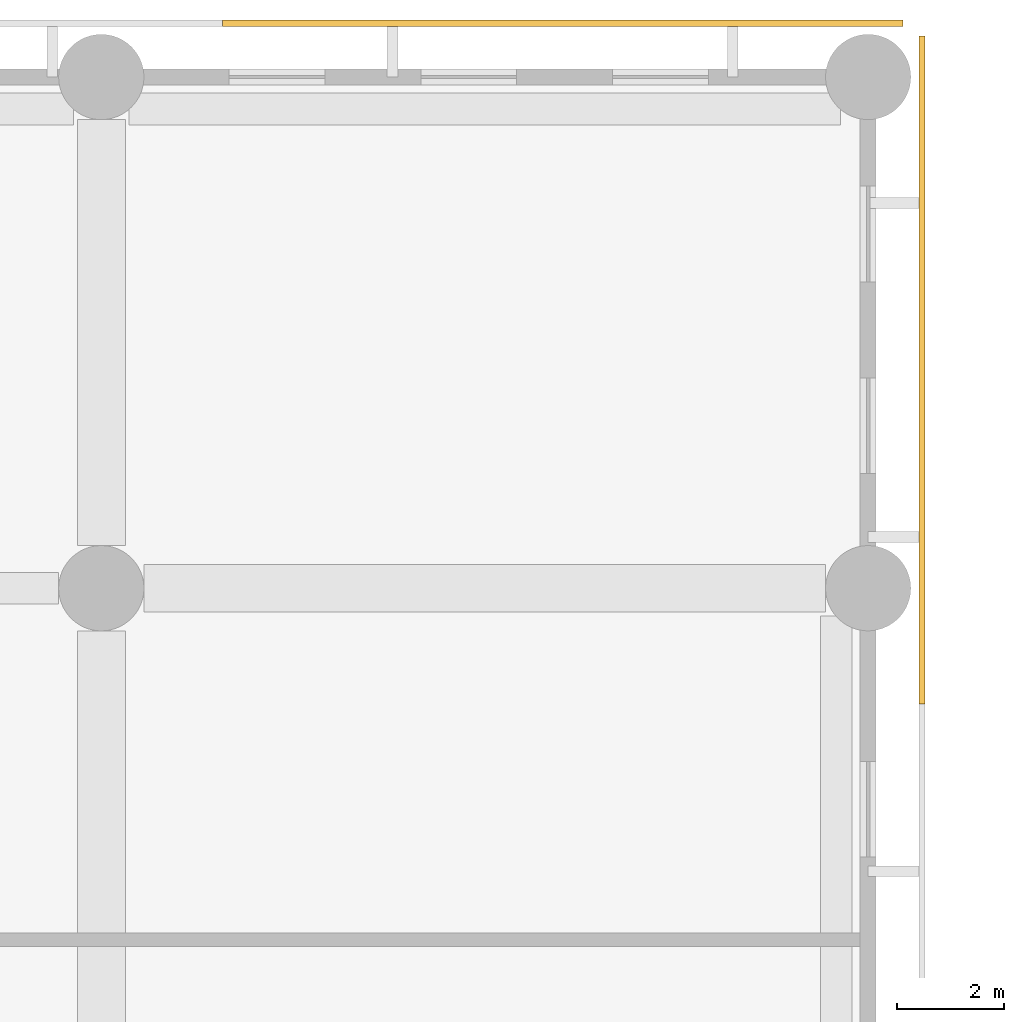
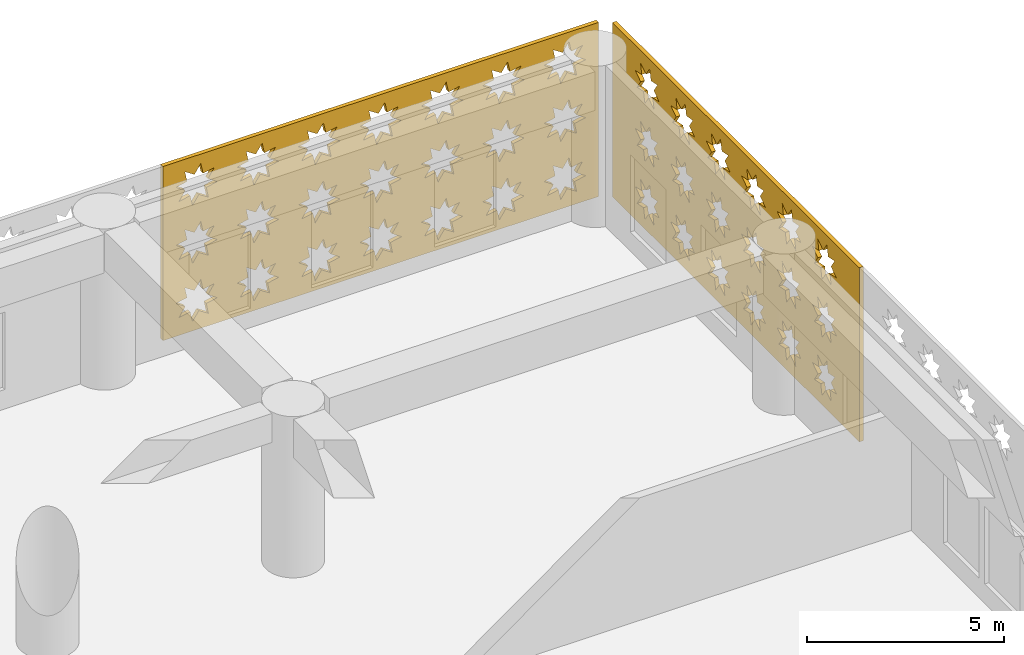
# One storey, part 30 of 30: 2 coverings.
"""IFC4 building model written with IfcOpenShell, lengths in metres."""

import ifcopenshell
import ifcopenshell.guid

model = None  # the IFC model being written
_history = None  # IfcOwnerHistory: only IFC2X3 demands one
_inside = {}  # id of a spatial element -> (the spatial element, [elements in it])
_under = {}  # id of a project, library or spatial element -> (it, [spatial elements below it])
_declared = {}  # id of a project -> (the project, [libraries it declares])
_typed = {}  # id of a type object -> (the type object, [elements of that type])
_made_of = {}  # id of a material, layer set ... -> (it, [elements and type objects made of it])


def new_model(schema):
    """Start an empty IFC model of exactly this schema.

    Asked for "IFC4X3", IfcOpenShell would pick the latest addendum, in which some entities
    have other attributes; the version numbers below select the first issue.
    IFC2X3 requires an IfcOwnerHistory on every rooted entity: one is made here for all.
    """
    global model, _history
    if schema == "IFC4X3":
        model = ifcopenshell.file(schema_version=(4, 3, 0, 0))
    else:
        model = ifcopenshell.file(schema=schema)
    _inside.clear()
    _under.clear()
    _declared.clear()
    _typed.clear()
    _made_of.clear()
    _history = None
    if model.schema == "IFC2X3":
        org = make("IfcOrganization", Name="unknown")
        user = make(
            "IfcPersonAndOrganization",
            ThePerson=make("IfcPerson", FamilyName="unknown"),
            TheOrganization=org,
        )
        app = make(
            "IfcApplication",
            ApplicationDeveloper=org,
            Version="unknown",
            ApplicationFullName="unknown",
            ApplicationIdentifier="unknown",
        )
        _history = make(
            "IfcOwnerHistory",
            OwningUser=user,
            OwningApplication=app,
            ChangeAction="ADDED",
            CreationDate=0,
        )
    return model


def make(cls, **values):
    """One entity of the class cls with the attributes given. An attribute that is None is left unset."""
    return model.create_entity(
        cls, **{name: value for name, value in values.items() if value is not None}
    )


def rooted(cls, **values):
    """An entity with a GlobalId (a new one), such as an element, a storey or a relation."""
    return make(cls, GlobalId=ifcopenshell.guid.new(), OwnerHistory=_history, **values)


def si_unit(unit_type, name, prefix=None):
    """IfcSIUnit, for example si_unit("LENGTHUNIT", "METRE", prefix="MILLI")."""
    return make("IfcSIUnit", UnitType=unit_type, Prefix=prefix, Name=name)


def assignment(units):
    """IfcUnitAssignment: the units of a project."""
    return None if units is None else make("IfcUnitAssignment", Units=units)


def point(xyz):
    """IfcCartesianPoint."""
    return None if xyz is None else make("IfcCartesianPoint", Coordinates=xyz)


def direction(xyz):
    """IfcDirection."""
    return None if xyz is None else make("IfcDirection", DirectionRatios=xyz)


def frame(location, z_axis=None, x_axis=None):
    """IfcAxis2Placement3D, a coordinate frame: its origin and axes. An axis left out is left unset."""
    return make(
        "IfcAxis2Placement3D",
        Location=point(location),
        Axis=direction(z_axis),
        RefDirection=direction(x_axis),
    )


def origin():
    """The frame at (0, 0, 0) with its axes left unset."""
    return frame((0.0, 0.0, 0.0))


def place(relative_to, where):
    """IfcLocalPlacement: puts the frame where relative to a parent placement (None: the world)."""
    return make(
        "IfcLocalPlacement", PlacementRelTo=relative_to, RelativePlacement=where
    )


def context(
    kind, dimensions, precision=None, world=None, true_north=None, identifier=None
):
    """IfcGeometricRepresentationContext, for example the 3D "Model" context."""
    return make(
        "IfcGeometricRepresentationContext",
        ContextIdentifier=identifier,
        ContextType=kind,
        CoordinateSpaceDimension=dimensions,
        Precision=precision,
        WorldCoordinateSystem=world,
        TrueNorth=true_north,
    )


def subcontext(parent, identifier, kind, view, scale=None):
    """IfcGeometricRepresentationSubContext, for example "Body" below "Model"."""
    return make(
        "IfcGeometricRepresentationSubContext",
        ContextIdentifier=identifier,
        ContextType=kind,
        ParentContext=parent,
        TargetScale=scale,
        TargetView=view,
    )


def project(units=None, contexts=None):
    """IfcProject with its units and contexts."""
    return rooted(
        "IfcProject",
        Name="project",
        RepresentationContexts=contexts,
        UnitsInContext=assignment(units),
    )


def spatial(cls, under=None, at=None, **own):
    """A site, building, storey or space (cls), placed at a placement, below another one or the project."""
    s = rooted(cls, ObjectPlacement=at, **own)
    if under is not None:
        _under.setdefault(under.id(), (under, []))[1].append(s)
    return s


def polyline(points):
    """IfcPolyline through the points."""
    return make("IfcPolyline", Points=[point(p) for p in points])


def outline(outer, holes=None, kind="AREA"):
    """IfcArbitraryClosedProfileDef: a profile drawn as a closed curve; with holes, ...WithVoids."""
    if holes is None:
        return make("IfcArbitraryClosedProfileDef", ProfileType=kind, OuterCurve=outer)
    return make(
        "IfcArbitraryProfileDefWithVoids",
        ProfileType=kind,
        OuterCurve=outer,
        InnerCurves=holes,
    )


def extrude(swept, where, along, depth):
    """IfcExtrudedAreaSolid: the profile swept, set in the frame where, extruded along a direction by depth."""
    return make(
        "IfcExtrudedAreaSolid",
        SweptArea=swept,
        Position=where,
        ExtrudedDirection=direction(along),
        Depth=depth,
    )


def shape(context_of_items, identifier, shape_type, items):
    """IfcShapeRepresentation: the items that make up one representation, for example the "Body"."""
    return make(
        "IfcShapeRepresentation",
        ContextOfItems=context_of_items,
        RepresentationIdentifier=identifier,
        RepresentationType=shape_type,
        Items=items,
    )


def material(Name=None, Category=None):
    """IfcMaterial."""
    return make("IfcMaterial", Name=Name, Category=Category)


def layer(
    of_material, thickness, ventilated=None, Name=None, Category=None, Priority=None
):
    """IfcMaterialLayer: one layer of a wall or slab, of a material (None: an air gap)."""
    return make(
        "IfcMaterialLayer",
        Material=of_material,
        LayerThickness=thickness,
        IsVentilated=ventilated,
        Name=Name,
        Category=Category,
        Priority=Priority,
    )


def layer_set(layers, Name=None):
    """IfcMaterialLayerSet."""
    return make("IfcMaterialLayerSet", MaterialLayers=layers, LayerSetName=Name)


def made_of(thing, what):
    """Note that an element or type object is made of a material, layer set ...; save() writes the relation."""
    if what is not None:
        _made_of.setdefault(what.id(), (what, []))[1].append(thing)
    return thing


def type_object(cls, material=None, **own):
    """A type object (cls), such as IfcWallType, which elements share."""
    return made_of(rooted(cls, **own), material)


def element(
    cls,
    number,
    at=None,
    inside=None,
    cuts=None,
    type_object=None,
    material=None,
    context=None,
    identifier="Body",
    shape_type=None,
    held_by="IfcProductDefinitionShape",
    body=None,
    shapes=None,
    **own,
):
    """One element of the class cls, such as IfcWall. Its Tag is "e" and its number.

    at: its placement. inside: the storey or other place that contains it. cuts: it is an
    opening in that element (IfcRelVoidsElement). A single representation is given by context,
    identifier, shape_type and body (its items); several are given by shapes. held_by: the class
    of the entity that holds the representations. save() writes the other relations.
    """
    e = rooted(cls, Tag="e%d" % number, ObjectPlacement=at, **own)
    if body is not None:
        shapes = [shape(context, identifier, shape_type, body)]
    if shapes is not None:
        e.Representation = make(held_by, Representations=shapes)
    if inside is not None:
        _inside.setdefault(inside.id(), (inside, []))[1].append(e)
    if cuts is not None:
        rooted(
            "IfcRelVoidsElement", RelatingBuildingElement=cuts, RelatedOpeningElement=e
        )
    if type_object is not None:
        _typed.setdefault(type_object.id(), (type_object, []))[1].append(e)
    return made_of(e, material)


def aggregate(whole, parts):
    """IfcRelAggregates: a whole, such as a stair, and the parts it consists of."""
    return rooted("IfcRelAggregates", RelatingObject=whole, RelatedObjects=parts)


def save(model, path):
    """Write the relations noted so far, then the file.

    IfcRelAggregates (storeys below a building ...), IfcRelContainedInSpatialStructure (elements
    in a storey), IfcRelDefinesByType, IfcRelAssociatesMaterial and IfcRelDeclares: one each for
    every whole, place, type object, material and project.
    """
    for whole, parts in _under.values():
        aggregate(whole, parts)
    for where, things in _inside.values():
        rooted(
            "IfcRelContainedInSpatialStructure",
            RelatedElements=things,
            RelatingStructure=where,
        )
    for kind, things in _typed.values():
        rooted("IfcRelDefinesByType", RelatedObjects=things, RelatingType=kind)
    for what, things in _made_of.values():
        rooted("IfcRelAssociatesMaterial", RelatedObjects=things, RelatingMaterial=what)
    for by, libraries in _declared.values():
        rooted("IfcRelDeclares", RelatingContext=by, RelatedDefinitions=libraries)
    model.write(path)


model = new_model("IFC4")

# Units and contexts
model_context = context("Model", 3, precision=1e-05, world=origin(), true_north=direction((0.0, 1.0)))
body_context = subcontext(model_context, "Body", "Model", "MODEL_VIEW")
ifc_project = project(units=[si_unit("LENGTHUNIT", "METRE"), si_unit("AREAUNIT", "SQUARE_METRE"), si_unit("VOLUMEUNIT", "CUBIC_METRE"), si_unit("PLANEANGLEUNIT", "RADIAN"), si_unit("MASSUNIT", "GRAM", prefix="KILO")], contexts=[model_context])

# Site, building, storey
site_placement = place(None, origin())
site = spatial("IfcSite", under=ifc_project, at=site_placement, CompositionType="ELEMENT")
building_placement = place(site_placement, origin())
building = spatial("IfcBuilding", under=site, at=building_placement, Name="Saffron Iwan Residences", CompositionType="ELEMENT")
storey_placement = place(building_placement, frame((0.0, 0.0, 7.800048828125)))
storey = spatial("IfcBuildingStorey", under=building, at=storey_placement, Name="L01", CompositionType="ELEMENT", Elevation=7.800048828125)

# Coverings
ifc_material = material(Name="Terracotta screen, precast concrete C40/50", Category="masonry")
ifc_layer = layer(ifc_material, 0.1201171875)
ifc_layer_set = layer_set([ifc_layer], Name="Terracotta screen, precast concrete C40/50")
covering_type = type_object("IfcCoveringType", Name="PODIUM SCREEN GIRIH", PredefinedType="CLADDING", material=ifc_layer_set)
covering_1_placement = place(storey_placement, frame((101.75, 74.624267578125, -0.400146484375), z_axis=(1.0, 0.0, 0.0), x_axis=(0.0, 1.0, 0.0)))
element("IfcCovering", 1, at=covering_1_placement, inside=storey, type_object=covering_type, Name="SCREEN girih terracotta L01 F1.6", PredefinedType="CLADDING", context=body_context, shape_type="SweptSolid", body=[
    extrude(outline(polyline([(0.0, 0.0), (12.545654296875, 0.0), (12.545654296875, 5.39990234375), (0.0, 5.39990234375), (0.0, 0.0)]), holes=[polyline([(2.380859375, 1.02099609375), (2.0556640625, 1.0888671875), (2.1171875, 1.41552734375), (1.839111328125, 1.2333984375), (1.65185546875, 1.508056640625), (1.583984375, 1.1826171875), (1.25732421875, 1.244384765625), (1.439453125, 0.96630859375), (1.164794921875, 0.779052734375), (1.490234375, 0.711181640625), (1.428466796875, 0.384521484375), (1.70654296875, 0.56640625), (1.893798828125, 0.2919921875), (1.9619140625, 0.6171875), (2.288330078125, 0.555419921875), (2.106201171875, 0.833740234375), (2.380859375, 1.02099609375)]), polyline([(2.380859375, 2.821044921875), (2.0556640625, 2.888916015625), (2.1171875, 3.215576171875), (1.839111328125, 3.033447265625), (1.65185546875, 3.30810546875), (1.583984375, 2.982666015625), (1.25732421875, 3.04443359375), (1.439453125, 2.766357421875), (1.164794921875, 2.5791015625), (1.490234375, 2.510986328125), (1.428466796875, 2.1845703125), (1.70654296875, 2.366455078125), (1.893798828125, 2.091796875), (1.9619140625, 2.417236328125), (2.288330078125, 2.35546875), (2.106201171875, 2.6337890625), (2.380859375, 2.821044921875)]), polyline([(2.380859375, 4.62109375), (2.0556640625, 4.68896484375), (2.1171875, 5.015380859375), (1.839111328125, 4.83349609375), (1.65185546875, 5.108154296875), (1.583984375, 4.78271484375), (1.25732421875, 4.844482421875), (1.439453125, 4.56640625), (1.164794921875, 4.37890625), (1.490234375, 4.31103515625), (1.428466796875, 3.984619140625), (1.70654296875, 4.16650390625), (1.893798828125, 3.891845703125), (1.9619140625, 4.21728515625), (2.288330078125, 4.155517578125), (2.106201171875, 4.43359375), (2.380859375, 4.62109375)]), polyline([(4.180908203125, 1.02099609375), (3.855712890625, 1.0888671875), (3.917236328125, 1.41552734375), (3.63916015625, 1.2333984375), (3.451904296875, 1.508056640625), (3.384033203125, 1.1826171875), (3.057373046875, 1.244384765625), (3.239501953125, 0.96630859375), (2.96484375, 0.779052734375), (3.290283203125, 0.711181640625), (3.228515625, 0.384521484375), (3.506591796875, 0.56640625), (3.69384765625, 0.2919921875), (3.76171875, 0.6171875), (4.08837890625, 0.555419921875), (3.90625, 0.833740234375), (4.180908203125, 1.02099609375)]), polyline([(4.180908203125, 2.821044921875), (3.855712890625, 2.888916015625), (3.917236328125, 3.215576171875), (3.63916015625, 3.033447265625), (3.451904296875, 3.30810546875), (3.384033203125, 2.982666015625), (3.057373046875, 3.04443359375), (3.239501953125, 2.766357421875), (2.96484375, 2.5791015625), (3.290283203125, 2.510986328125), (3.228515625, 2.1845703125), (3.506591796875, 2.366455078125), (3.69384765625, 2.091796875), (3.76171875, 2.417236328125), (4.08837890625, 2.35546875), (3.90625, 2.6337890625), (4.180908203125, 2.821044921875)]), polyline([(4.180908203125, 4.62109375), (3.855712890625, 4.68896484375), (3.917236328125, 5.015380859375), (3.63916015625, 4.83349609375), (3.451904296875, 5.108154296875), (3.384033203125, 4.78271484375), (3.057373046875, 4.844482421875), (3.239501953125, 4.56640625), (2.96484375, 4.37890625), (3.290283203125, 4.31103515625), (3.228515625, 3.984619140625), (3.506591796875, 4.16650390625), (3.69384765625, 3.891845703125), (3.76171875, 4.21728515625), (4.08837890625, 4.155517578125), (3.90625, 4.43359375), (4.180908203125, 4.62109375)]), polyline([(5.98095703125, 1.02099609375), (5.655517578125, 1.0888671875), (5.71728515625, 1.41552734375), (5.439208984375, 1.2333984375), (5.251953125, 1.508056640625), (5.18408203125, 1.1826171875), (4.857421875, 1.244384765625), (5.039306640625, 0.96630859375), (4.764892578125, 0.779052734375), (5.090087890625, 0.711181640625), (5.0283203125, 0.384521484375), (5.306396484375, 0.56640625), (5.493896484375, 0.2919921875), (5.561767578125, 0.6171875), (5.888427734375, 0.555419921875), (5.706298828125, 0.833740234375), (5.98095703125, 1.02099609375)]), polyline([(5.98095703125, 2.821044921875), (5.655517578125, 2.888916015625), (5.71728515625, 3.215576171875), (5.439208984375, 3.033447265625), (5.251953125, 3.30810546875), (5.18408203125, 2.982666015625), (4.857421875, 3.04443359375), (5.039306640625, 2.766357421875), (4.764892578125, 2.5791015625), (5.090087890625, 2.510986328125), (5.0283203125, 2.1845703125), (5.306396484375, 2.366455078125), (5.493896484375, 2.091796875), (5.561767578125, 2.417236328125), (5.888427734375, 2.35546875), (5.706298828125, 2.6337890625), (5.98095703125, 2.821044921875)]), polyline([(5.98095703125, 4.62109375), (5.655517578125, 4.68896484375), (5.71728515625, 5.015380859375), (5.439208984375, 4.83349609375), (5.251953125, 5.108154296875), (5.18408203125, 4.78271484375), (4.857421875, 4.844482421875), (5.039306640625, 4.56640625), (4.764892578125, 4.37890625), (5.090087890625, 4.31103515625), (5.0283203125, 3.984619140625), (5.306396484375, 4.16650390625), (5.493896484375, 3.891845703125), (5.561767578125, 4.21728515625), (5.888427734375, 4.155517578125), (5.706298828125, 4.43359375), (5.98095703125, 4.62109375)]), polyline([(7.781005859375, 1.02099609375), (7.45556640625, 1.0888671875), (7.517333984375, 1.41552734375), (7.2392578125, 1.2333984375), (7.052001953125, 1.508056640625), (6.98388671875, 1.1826171875), (6.6572265625, 1.244384765625), (6.83935546875, 0.96630859375), (6.564697265625, 0.779052734375), (6.89013671875, 0.711181640625), (6.828369140625, 0.384521484375), (7.1064453125, 0.56640625), (7.293701171875, 0.2919921875), (7.36181640625, 0.6171875), (7.6884765625, 0.555419921875), (7.50634765625, 0.833740234375), (7.781005859375, 1.02099609375)]), polyline([(7.781005859375, 2.821044921875), (7.45556640625, 2.888916015625), (7.517333984375, 3.215576171875), (7.2392578125, 3.033447265625), (7.052001953125, 3.30810546875), (6.98388671875, 2.982666015625), (6.6572265625, 3.04443359375), (6.83935546875, 2.766357421875), (6.564697265625, 2.5791015625), (6.89013671875, 2.510986328125), (6.828369140625, 2.1845703125), (7.1064453125, 2.366455078125), (7.293701171875, 2.091796875), (7.36181640625, 2.417236328125), (7.6884765625, 2.35546875), (7.50634765625, 2.6337890625), (7.781005859375, 2.821044921875)]), polyline([(7.781005859375, 4.62109375), (7.45556640625, 4.68896484375), (7.517333984375, 5.015380859375), (7.2392578125, 4.83349609375), (7.052001953125, 5.108154296875), (6.98388671875, 4.78271484375), (6.6572265625, 4.844482421875), (6.83935546875, 4.56640625), (6.564697265625, 4.37890625), (6.89013671875, 4.31103515625), (6.828369140625, 3.984619140625), (7.1064453125, 4.16650390625), (7.293701171875, 3.891845703125), (7.36181640625, 4.21728515625), (7.6884765625, 4.155517578125), (7.50634765625, 4.43359375), (7.781005859375, 4.62109375)]), polyline([(9.580810546875, 1.02099609375), (9.255615234375, 1.0888671875), (9.3173828125, 1.41552734375), (9.039306640625, 1.2333984375), (8.851806640625, 1.508056640625), (8.783935546875, 1.1826171875), (8.457275390625, 1.244384765625), (8.639404296875, 0.96630859375), (8.36474609375, 0.779052734375), (8.690185546875, 0.711181640625), (8.62841796875, 0.384521484375), (8.906494140625, 0.56640625), (9.09375, 0.2919921875), (9.161865234375, 0.6171875), (9.48828125, 0.555419921875), (9.306396484375, 0.833740234375), (9.580810546875, 1.02099609375)]), polyline([(9.580810546875, 2.821044921875), (9.255615234375, 2.888916015625), (9.3173828125, 3.215576171875), (9.039306640625, 3.033447265625), (8.851806640625, 3.30810546875), (8.783935546875, 2.982666015625), (8.457275390625, 3.04443359375), (8.639404296875, 2.766357421875), (8.36474609375, 2.5791015625), (8.690185546875, 2.510986328125), (8.62841796875, 2.1845703125), (8.906494140625, 2.366455078125), (9.09375, 2.091796875), (9.161865234375, 2.417236328125), (9.48828125, 2.35546875), (9.306396484375, 2.6337890625), (9.580810546875, 2.821044921875)]), polyline([(9.580810546875, 4.62109375), (9.255615234375, 4.68896484375), (9.3173828125, 5.015380859375), (9.039306640625, 4.83349609375), (8.851806640625, 5.108154296875), (8.783935546875, 4.78271484375), (8.457275390625, 4.844482421875), (8.639404296875, 4.56640625), (8.36474609375, 4.37890625), (8.690185546875, 4.31103515625), (8.62841796875, 3.984619140625), (8.906494140625, 4.16650390625), (9.09375, 3.891845703125), (9.161865234375, 4.21728515625), (9.48828125, 4.155517578125), (9.306396484375, 4.43359375), (9.580810546875, 4.62109375)]), polyline([(11.380859375, 1.02099609375), (11.0556640625, 1.0888671875), (11.1171875, 1.41552734375), (10.839111328125, 1.2333984375), (10.65185546875, 1.508056640625), (10.583984375, 1.1826171875), (10.25732421875, 1.244384765625), (10.439453125, 0.96630859375), (10.164794921875, 0.779052734375), (10.490234375, 0.711181640625), (10.428466796875, 0.384521484375), (10.70654296875, 0.56640625), (10.893798828125, 0.2919921875), (10.9619140625, 0.6171875), (11.288330078125, 0.555419921875), (11.106201171875, 0.833740234375), (11.380859375, 1.02099609375)]), polyline([(11.380859375, 2.821044921875), (11.0556640625, 2.888916015625), (11.1171875, 3.215576171875), (10.839111328125, 3.033447265625), (10.65185546875, 3.30810546875), (10.583984375, 2.982666015625), (10.25732421875, 3.04443359375), (10.439453125, 2.766357421875), (10.164794921875, 2.5791015625), (10.490234375, 2.510986328125), (10.428466796875, 2.1845703125), (10.70654296875, 2.366455078125), (10.893798828125, 2.091796875), (10.9619140625, 2.417236328125), (11.288330078125, 2.35546875), (11.106201171875, 2.6337890625), (11.380859375, 2.821044921875)]), polyline([(11.380859375, 4.62109375), (11.0556640625, 4.68896484375), (11.1171875, 5.015380859375), (10.839111328125, 4.83349609375), (10.65185546875, 5.108154296875), (10.583984375, 4.78271484375), (10.25732421875, 4.844482421875), (10.439453125, 4.56640625), (10.164794921875, 4.37890625), (10.490234375, 4.31103515625), (10.428466796875, 3.984619140625), (10.70654296875, 4.16650390625), (10.893798828125, 3.891845703125), (10.9619140625, 4.21728515625), (11.288330078125, 4.155517578125), (11.106201171875, 4.43359375), (11.380859375, 4.62109375)])]), origin(), (0.0, 0.0, 1.0), 0.1201171875),
])
covering_2_placement = place(storey_placement, frame((101.449951171875, 87.35009765625, -0.400146484375), z_axis=(0.0, 1.0, 0.0), x_axis=(-1.0, 0.0, 0.0)))
element("IfcCovering", 2, at=covering_2_placement, inside=storey, type_object=covering_type, Name="SCREEN girih terracotta L01 F2.0", PredefinedType="CLADDING", context=body_context, shape_type="SweptSolid", body=[
    extrude(outline(polyline([(0.0, 0.0), (12.777587890625, 0.0), (12.777587890625, 5.39990234375), (0.0, 5.39990234375), (0.0, 0.0)]), holes=[polyline([(1.5966796875, 1.02099609375), (1.271484375, 1.0888671875), (1.333251953125, 1.41552734375), (1.05517578125, 1.2333984375), (0.867919921875, 1.508056640625), (0.7998046875, 1.1826171875), (0.47314453125, 1.244384765625), (0.6552734375, 0.96630859375), (0.380615234375, 0.779052734375), (0.7060546875, 0.711181640625), (0.644287109375, 0.384521484375), (0.92236328125, 0.56640625), (1.109619140625, 0.2919921875), (1.177490234375, 0.6171875), (1.50439453125, 0.555419921875), (1.322265625, 0.833740234375), (1.5966796875, 1.02099609375)]), polyline([(1.5966796875, 2.821044921875), (1.271484375, 2.888916015625), (1.333251953125, 3.215576171875), (1.05517578125, 3.033447265625), (0.867919921875, 3.30810546875), (0.7998046875, 2.982666015625), (0.47314453125, 3.04443359375), (0.6552734375, 2.766357421875), (0.380615234375, 2.5791015625), (0.7060546875, 2.510986328125), (0.644287109375, 2.1845703125), (0.92236328125, 2.366455078125), (1.109619140625, 2.091796875), (1.177490234375, 2.417236328125), (1.50439453125, 2.35546875), (1.322265625, 2.6337890625), (1.5966796875, 2.821044921875)]), polyline([(1.5966796875, 4.62109375), (1.271484375, 4.68896484375), (1.333251953125, 5.015380859375), (1.05517578125, 4.83349609375), (0.867919921875, 5.108154296875), (0.7998046875, 4.78271484375), (0.47314453125, 4.844482421875), (0.6552734375, 4.56640625), (0.380615234375, 4.37890625), (0.7060546875, 4.31103515625), (0.644287109375, 3.984619140625), (0.92236328125, 4.16650390625), (1.109619140625, 3.891845703125), (1.177490234375, 4.21728515625), (1.50439453125, 4.155517578125), (1.322265625, 4.43359375), (1.5966796875, 4.62109375)]), polyline([(3.396728515625, 1.02099609375), (3.0712890625, 1.0888671875), (3.13330078125, 1.41552734375), (2.85498046875, 1.2333984375), (2.667724609375, 1.508056640625), (2.599853515625, 1.1826171875), (2.273193359375, 1.244384765625), (2.455322265625, 0.96630859375), (2.1806640625, 0.779052734375), (2.506103515625, 0.711181640625), (2.4443359375, 0.384521484375), (2.722412109375, 0.56640625), (2.90966796875, 0.2919921875), (2.9775390625, 0.6171875), (3.30419921875, 0.555419921875), (3.122314453125, 0.833740234375), (3.396728515625, 1.02099609375)]), polyline([(3.396728515625, 2.821044921875), (3.0712890625, 2.888916015625), (3.13330078125, 3.215576171875), (2.85498046875, 3.033447265625), (2.667724609375, 3.30810546875), (2.599853515625, 2.982666015625), (2.273193359375, 3.04443359375), (2.455322265625, 2.766357421875), (2.1806640625, 2.5791015625), (2.506103515625, 2.510986328125), (2.4443359375, 2.1845703125), (2.722412109375, 2.366455078125), (2.90966796875, 2.091796875), (2.9775390625, 2.417236328125), (3.30419921875, 2.35546875), (3.122314453125, 2.6337890625), (3.396728515625, 2.821044921875)]), polyline([(3.396728515625, 4.62109375), (3.0712890625, 4.68896484375), (3.13330078125, 5.015380859375), (2.85498046875, 4.83349609375), (2.667724609375, 5.108154296875), (2.599853515625, 4.78271484375), (2.273193359375, 4.844482421875), (2.455322265625, 4.56640625), (2.1806640625, 4.37890625), (2.506103515625, 4.31103515625), (2.4443359375, 3.984619140625), (2.722412109375, 4.16650390625), (2.90966796875, 3.891845703125), (2.9775390625, 4.21728515625), (3.30419921875, 4.155517578125), (3.122314453125, 4.43359375), (3.396728515625, 4.62109375)]), polyline([(5.19677734375, 1.02099609375), (4.871337890625, 1.0888671875), (4.93310546875, 1.41552734375), (4.655029296875, 1.2333984375), (4.4677734375, 1.508056640625), (4.39990234375, 1.1826171875), (4.0732421875, 1.244384765625), (4.25537109375, 0.96630859375), (3.980712890625, 0.779052734375), (4.30615234375, 0.711181640625), (4.244384765625, 0.384521484375), (4.5224609375, 0.56640625), (4.709716796875, 0.2919921875), (4.777587890625, 0.6171875), (5.104248046875, 0.555419921875), (4.922119140625, 0.833740234375), (5.19677734375, 1.02099609375)]), polyline([(5.19677734375, 2.821044921875), (4.871337890625, 2.888916015625), (4.93310546875, 3.215576171875), (4.655029296875, 3.033447265625), (4.4677734375, 3.30810546875), (4.39990234375, 2.982666015625), (4.0732421875, 3.04443359375), (4.25537109375, 2.766357421875), (3.980712890625, 2.5791015625), (4.30615234375, 2.510986328125), (4.244384765625, 2.1845703125), (4.5224609375, 2.366455078125), (4.709716796875, 2.091796875), (4.777587890625, 2.417236328125), (5.104248046875, 2.35546875), (4.922119140625, 2.6337890625), (5.19677734375, 2.821044921875)]), polyline([(5.19677734375, 4.62109375), (4.871337890625, 4.68896484375), (4.93310546875, 5.015380859375), (4.655029296875, 4.83349609375), (4.4677734375, 5.108154296875), (4.39990234375, 4.78271484375), (4.0732421875, 4.844482421875), (4.25537109375, 4.56640625), (3.980712890625, 4.37890625), (4.30615234375, 4.31103515625), (4.244384765625, 3.984619140625), (4.5224609375, 4.16650390625), (4.709716796875, 3.891845703125), (4.777587890625, 4.21728515625), (5.104248046875, 4.155517578125), (4.922119140625, 4.43359375), (5.19677734375, 4.62109375)]), polyline([(6.996826171875, 1.02099609375), (6.67138671875, 1.0888671875), (6.733154296875, 1.41552734375), (6.455078125, 1.2333984375), (6.267822265625, 1.508056640625), (6.199951171875, 1.1826171875), (5.873291015625, 1.244384765625), (6.055419921875, 0.96630859375), (5.78076171875, 0.779052734375), (6.106201171875, 0.711181640625), (6.044189453125, 0.384521484375), (6.322509765625, 0.56640625), (6.509765625, 0.2919921875), (6.57763671875, 0.6171875), (6.904296875, 0.555419921875), (6.72216796875, 0.833740234375), (6.996826171875, 1.02099609375)]), polyline([(6.996826171875, 2.821044921875), (6.67138671875, 2.888916015625), (6.733154296875, 3.215576171875), (6.455078125, 3.033447265625), (6.267822265625, 3.30810546875), (6.199951171875, 2.982666015625), (5.873291015625, 3.04443359375), (6.055419921875, 2.766357421875), (5.78076171875, 2.5791015625), (6.106201171875, 2.510986328125), (6.044189453125, 2.1845703125), (6.322509765625, 2.366455078125), (6.509765625, 2.091796875), (6.57763671875, 2.417236328125), (6.904296875, 2.35546875), (6.72216796875, 2.6337890625), (6.996826171875, 2.821044921875)]), polyline([(6.996826171875, 4.62109375), (6.67138671875, 4.68896484375), (6.733154296875, 5.015380859375), (6.455078125, 4.83349609375), (6.267822265625, 5.108154296875), (6.199951171875, 4.78271484375), (5.873291015625, 4.844482421875), (6.055419921875, 4.56640625), (5.78076171875, 4.37890625), (6.106201171875, 4.31103515625), (6.044189453125, 3.984619140625), (6.322509765625, 4.16650390625), (6.509765625, 3.891845703125), (6.57763671875, 4.21728515625), (6.904296875, 4.155517578125), (6.72216796875, 4.43359375), (6.996826171875, 4.62109375)]), polyline([(8.796875, 1.02099609375), (8.471435546875, 1.0888671875), (8.533203125, 1.41552734375), (8.255126953125, 1.2333984375), (8.06787109375, 1.508056640625), (8.0, 1.1826171875), (7.673095703125, 1.244384765625), (7.855224609375, 0.96630859375), (7.580810546875, 0.779052734375), (7.906005859375, 0.711181640625), (7.84423828125, 0.384521484375), (8.122314453125, 0.56640625), (8.309814453125, 0.2919921875), (8.377685546875, 0.6171875), (8.704345703125, 0.555419921875), (8.522216796875, 0.833740234375), (8.796875, 1.02099609375)]), polyline([(8.796875, 2.821044921875), (8.471435546875, 2.888916015625), (8.533203125, 3.215576171875), (8.255126953125, 3.033447265625), (8.06787109375, 3.30810546875), (8.0, 2.982666015625), (7.673095703125, 3.04443359375), (7.855224609375, 2.766357421875), (7.580810546875, 2.5791015625), (7.906005859375, 2.510986328125), (7.84423828125, 2.1845703125), (8.122314453125, 2.366455078125), (8.309814453125, 2.091796875), (8.377685546875, 2.417236328125), (8.704345703125, 2.35546875), (8.522216796875, 2.6337890625), (8.796875, 2.821044921875)]), polyline([(8.796875, 4.62109375), (8.471435546875, 4.68896484375), (8.533203125, 5.015380859375), (8.255126953125, 4.83349609375), (8.06787109375, 5.108154296875), (8.0, 4.78271484375), (7.673095703125, 4.844482421875), (7.855224609375, 4.56640625), (7.580810546875, 4.37890625), (7.906005859375, 4.31103515625), (7.84423828125, 3.984619140625), (8.122314453125, 4.16650390625), (8.309814453125, 3.891845703125), (8.377685546875, 4.21728515625), (8.704345703125, 4.155517578125), (8.522216796875, 4.43359375), (8.796875, 4.62109375)]), polyline([(10.5966796875, 1.02099609375), (10.271484375, 1.0888671875), (10.333251953125, 1.41552734375), (10.05517578125, 1.2333984375), (9.867919921875, 1.508056640625), (9.7998046875, 1.1826171875), (9.47314453125, 1.244384765625), (9.6552734375, 0.96630859375), (9.380615234375, 0.779052734375), (9.7060546875, 0.711181640625), (9.644287109375, 0.384521484375), (9.92236328125, 0.56640625), (10.109619140625, 0.2919921875), (10.177490234375, 0.6171875), (10.50439453125, 0.555419921875), (10.322265625, 0.833740234375), (10.5966796875, 1.02099609375)]), polyline([(10.5966796875, 2.821044921875), (10.271484375, 2.888916015625), (10.333251953125, 3.215576171875), (10.05517578125, 3.033447265625), (9.867919921875, 3.30810546875), (9.7998046875, 2.982666015625), (9.47314453125, 3.04443359375), (9.6552734375, 2.766357421875), (9.380615234375, 2.5791015625), (9.7060546875, 2.510986328125), (9.644287109375, 2.1845703125), (9.92236328125, 2.366455078125), (10.109619140625, 2.091796875), (10.177490234375, 2.417236328125), (10.50439453125, 2.35546875), (10.322265625, 2.6337890625), (10.5966796875, 2.821044921875)]), polyline([(10.5966796875, 4.62109375), (10.271484375, 4.68896484375), (10.333251953125, 5.015380859375), (10.05517578125, 4.83349609375), (9.867919921875, 5.108154296875), (9.7998046875, 4.78271484375), (9.47314453125, 4.844482421875), (9.6552734375, 4.56640625), (9.380615234375, 4.37890625), (9.7060546875, 4.31103515625), (9.644287109375, 3.984619140625), (9.92236328125, 4.16650390625), (10.109619140625, 3.891845703125), (10.177490234375, 4.21728515625), (10.50439453125, 4.155517578125), (10.322265625, 4.43359375), (10.5966796875, 4.62109375)]), polyline([(12.396728515625, 1.02099609375), (12.0712890625, 1.0888671875), (12.13330078125, 1.41552734375), (11.85498046875, 1.2333984375), (11.667724609375, 1.508056640625), (11.599853515625, 1.1826171875), (11.273193359375, 1.244384765625), (11.455322265625, 0.96630859375), (11.1806640625, 0.779052734375), (11.506103515625, 0.711181640625), (11.4443359375, 0.384521484375), (11.722412109375, 0.56640625), (11.90966796875, 0.2919921875), (11.9775390625, 0.6171875), (12.30419921875, 0.555419921875), (12.122314453125, 0.833740234375), (12.396728515625, 1.02099609375)]), polyline([(12.396728515625, 2.821044921875), (12.0712890625, 2.888916015625), (12.13330078125, 3.215576171875), (11.85498046875, 3.033447265625), (11.667724609375, 3.30810546875), (11.599853515625, 2.982666015625), (11.273193359375, 3.04443359375), (11.455322265625, 2.766357421875), (11.1806640625, 2.5791015625), (11.506103515625, 2.510986328125), (11.4443359375, 2.1845703125), (11.722412109375, 2.366455078125), (11.90966796875, 2.091796875), (11.9775390625, 2.417236328125), (12.30419921875, 2.35546875), (12.122314453125, 2.6337890625), (12.396728515625, 2.821044921875)]), polyline([(12.396728515625, 4.62109375), (12.0712890625, 4.68896484375), (12.13330078125, 5.015380859375), (11.85498046875, 4.83349609375), (11.667724609375, 5.108154296875), (11.599853515625, 4.78271484375), (11.273193359375, 4.844482421875), (11.455322265625, 4.56640625), (11.1806640625, 4.37890625), (11.506103515625, 4.31103515625), (11.4443359375, 3.984619140625), (11.722412109375, 4.16650390625), (11.90966796875, 3.891845703125), (11.9775390625, 4.21728515625), (12.30419921875, 4.155517578125), (12.122314453125, 4.43359375), (12.396728515625, 4.62109375)])]), origin(), (0.0, 0.0, 1.0), 0.119873046875),
])

save(model, "model.ifc")
